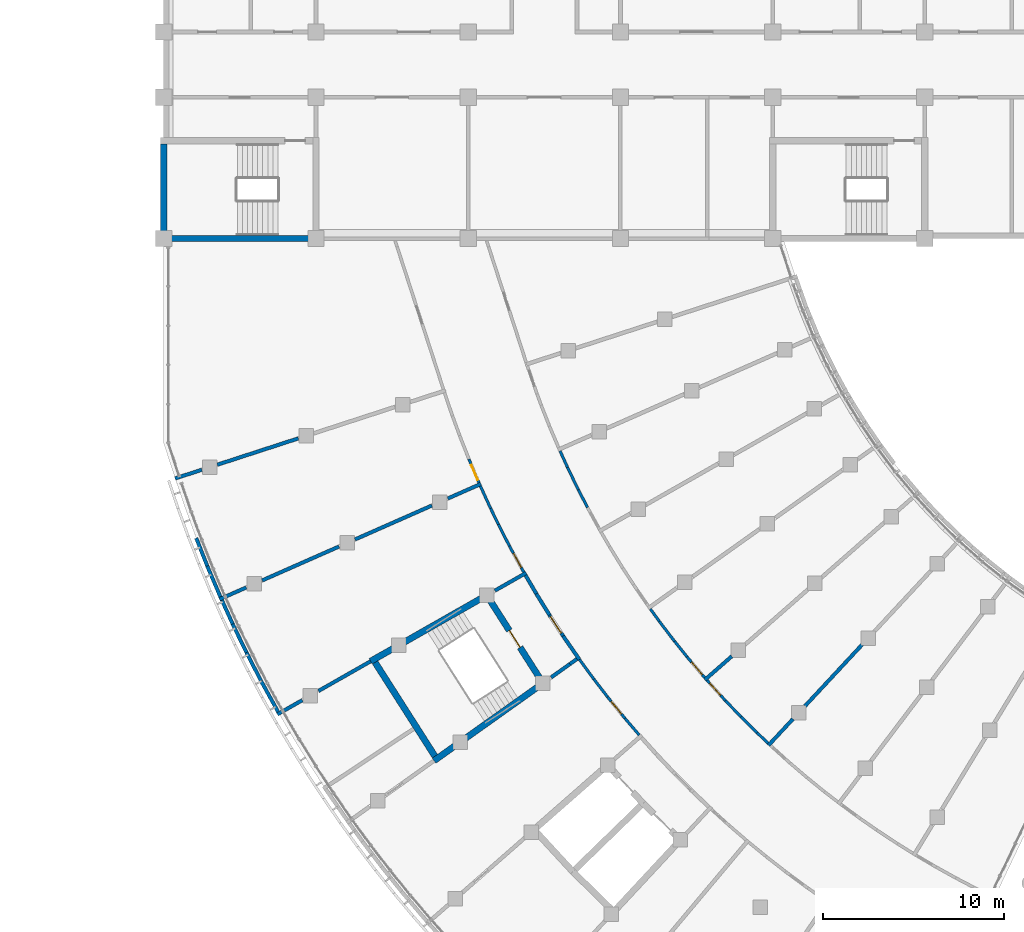
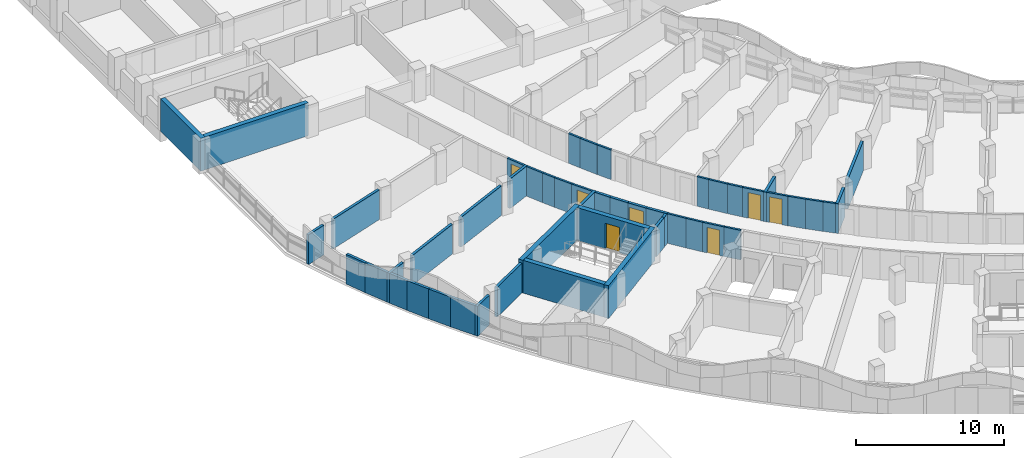
# One storey, part 42 of 89: 50 walls, 7 doors, 7 openings.
"""IFC4 building model written with IfcOpenShell, lengths in metres."""

import ifcopenshell
import ifcopenshell.guid

model = None  # the IFC model being written
_history = None  # IfcOwnerHistory: only IFC2X3 demands one
_inside = {}  # id of a spatial element -> (the spatial element, [elements in it])
_under = {}  # id of a project, library or spatial element -> (it, [spatial elements below it])
_declared = {}  # id of a project -> (the project, [libraries it declares])
_typed = {}  # id of a type object -> (the type object, [elements of that type])
_made_of = {}  # id of a material, layer set ... -> (it, [elements and type objects made of it])


def new_model(schema):
    """Start an empty IFC model of exactly this schema.

    Asked for "IFC4X3", IfcOpenShell would pick the latest addendum, in which some entities
    have other attributes; the version numbers below select the first issue.
    IFC2X3 requires an IfcOwnerHistory on every rooted entity: one is made here for all.
    """
    global model, _history
    if schema == "IFC4X3":
        model = ifcopenshell.file(schema_version=(4, 3, 0, 0))
    else:
        model = ifcopenshell.file(schema=schema)
    _inside.clear()
    _under.clear()
    _declared.clear()
    _typed.clear()
    _made_of.clear()
    _history = None
    if model.schema == "IFC2X3":
        org = make("IfcOrganization", Name="unknown")
        user = make(
            "IfcPersonAndOrganization",
            ThePerson=make("IfcPerson", FamilyName="unknown"),
            TheOrganization=org,
        )
        app = make(
            "IfcApplication",
            ApplicationDeveloper=org,
            Version="unknown",
            ApplicationFullName="unknown",
            ApplicationIdentifier="unknown",
        )
        _history = make(
            "IfcOwnerHistory",
            OwningUser=user,
            OwningApplication=app,
            ChangeAction="ADDED",
            CreationDate=0,
        )
    return model


def make(cls, **values):
    """One entity of the class cls with the attributes given. An attribute that is None is left unset."""
    return model.create_entity(
        cls, **{name: value for name, value in values.items() if value is not None}
    )


def rooted(cls, **values):
    """An entity with a GlobalId (a new one), such as an element, a storey or a relation."""
    return make(cls, GlobalId=ifcopenshell.guid.new(), OwnerHistory=_history, **values)


def si_unit(unit_type, name, prefix=None):
    """IfcSIUnit, for example si_unit("LENGTHUNIT", "METRE", prefix="MILLI")."""
    return make("IfcSIUnit", UnitType=unit_type, Prefix=prefix, Name=name)


def assignment(units):
    """IfcUnitAssignment: the units of a project."""
    return None if units is None else make("IfcUnitAssignment", Units=units)


def point(xyz):
    """IfcCartesianPoint."""
    return None if xyz is None else make("IfcCartesianPoint", Coordinates=xyz)


def direction(xyz):
    """IfcDirection."""
    return None if xyz is None else make("IfcDirection", DirectionRatios=xyz)


def frame(location, z_axis=None, x_axis=None):
    """IfcAxis2Placement3D, a coordinate frame: its origin and axes. An axis left out is left unset."""
    return make(
        "IfcAxis2Placement3D",
        Location=point(location),
        Axis=direction(z_axis),
        RefDirection=direction(x_axis),
    )


def frame_2d(location, x_axis=None):
    """IfcAxis2Placement2D, a coordinate frame in the plane: its origin and x axis."""
    return make(
        "IfcAxis2Placement2D", Location=point(location), RefDirection=direction(x_axis)
    )


def origin():
    """The frame at (0, 0, 0) with its axes left unset."""
    return frame((0.0, 0.0, 0.0))


def place(relative_to, where):
    """IfcLocalPlacement: puts the frame where relative to a parent placement (None: the world)."""
    return make(
        "IfcLocalPlacement", PlacementRelTo=relative_to, RelativePlacement=where
    )


def context(
    kind, dimensions, precision=None, world=None, true_north=None, identifier=None
):
    """IfcGeometricRepresentationContext, for example the 3D "Model" context."""
    return make(
        "IfcGeometricRepresentationContext",
        ContextIdentifier=identifier,
        ContextType=kind,
        CoordinateSpaceDimension=dimensions,
        Precision=precision,
        WorldCoordinateSystem=world,
        TrueNorth=true_north,
    )


def subcontext(parent, identifier, kind, view, scale=None):
    """IfcGeometricRepresentationSubContext, for example "Body" below "Model"."""
    return make(
        "IfcGeometricRepresentationSubContext",
        ContextIdentifier=identifier,
        ContextType=kind,
        ParentContext=parent,
        TargetScale=scale,
        TargetView=view,
    )


def project(units=None, contexts=None):
    """IfcProject with its units and contexts."""
    return rooted(
        "IfcProject",
        Name="project",
        RepresentationContexts=contexts,
        UnitsInContext=assignment(units),
    )


def spatial(cls, under=None, at=None, **own):
    """A site, building, storey or space (cls), placed at a placement, below another one or the project."""
    s = rooted(cls, ObjectPlacement=at, **own)
    if under is not None:
        _under.setdefault(under.id(), (under, []))[1].append(s)
    return s


def profile(cls, at=None, kind="AREA", **sizes):
    """A parametric profile (cls). Its sizes go by their IFC names, for example OverallWidth=200.0."""
    return make(cls, ProfileType=kind, Position=at, **sizes)


def rectangle(**sizes):
    """IfcRectangleProfileDef."""
    return profile("IfcRectangleProfileDef", **sizes)


def extrude(swept, where, along, depth):
    """IfcExtrudedAreaSolid: the profile swept, set in the frame where, extruded along a direction by depth."""
    return make(
        "IfcExtrudedAreaSolid",
        SweptArea=swept,
        Position=where,
        ExtrudedDirection=direction(along),
        Depth=depth,
    )


def shape(context_of_items, identifier, shape_type, items):
    """IfcShapeRepresentation: the items that make up one representation, for example the "Body"."""
    return make(
        "IfcShapeRepresentation",
        ContextOfItems=context_of_items,
        RepresentationIdentifier=identifier,
        RepresentationType=shape_type,
        Items=items,
    )


def material(Name=None, Category=None):
    """IfcMaterial."""
    return make("IfcMaterial", Name=Name, Category=Category)


def layer(
    of_material, thickness, ventilated=None, Name=None, Category=None, Priority=None
):
    """IfcMaterialLayer: one layer of a wall or slab, of a material (None: an air gap)."""
    return make(
        "IfcMaterialLayer",
        Material=of_material,
        LayerThickness=thickness,
        IsVentilated=ventilated,
        Name=Name,
        Category=Category,
        Priority=Priority,
    )


def layer_set(layers, Name=None):
    """IfcMaterialLayerSet."""
    return make("IfcMaterialLayerSet", MaterialLayers=layers, LayerSetName=Name)


def made_of(thing, what):
    """Note that an element or type object is made of a material, layer set ...; save() writes the relation."""
    if what is not None:
        _made_of.setdefault(what.id(), (what, []))[1].append(thing)
    return thing


def type_object(cls, material=None, **own):
    """A type object (cls), such as IfcWallType, which elements share."""
    return made_of(rooted(cls, **own), material)


def element(
    cls,
    number,
    at=None,
    inside=None,
    cuts=None,
    type_object=None,
    material=None,
    context=None,
    identifier="Body",
    shape_type=None,
    held_by="IfcProductDefinitionShape",
    body=None,
    shapes=None,
    **own,
):
    """One element of the class cls, such as IfcWall. Its Tag is "e" and its number.

    at: its placement. inside: the storey or other place that contains it. cuts: it is an
    opening in that element (IfcRelVoidsElement). A single representation is given by context,
    identifier, shape_type and body (its items); several are given by shapes. held_by: the class
    of the entity that holds the representations. save() writes the other relations.
    """
    e = rooted(cls, Tag="e%d" % number, ObjectPlacement=at, **own)
    if body is not None:
        shapes = [shape(context, identifier, shape_type, body)]
    if shapes is not None:
        e.Representation = make(held_by, Representations=shapes)
    if inside is not None:
        _inside.setdefault(inside.id(), (inside, []))[1].append(e)
    if cuts is not None:
        rooted(
            "IfcRelVoidsElement", RelatingBuildingElement=cuts, RelatedOpeningElement=e
        )
    if type_object is not None:
        _typed.setdefault(type_object.id(), (type_object, []))[1].append(e)
    return made_of(e, material)


def fill(opening, filler):
    """IfcRelFillsElement: the door or window that sits in an opening."""
    return rooted(
        "IfcRelFillsElement",
        RelatingOpeningElement=opening,
        RelatedBuildingElement=filler,
    )


def aggregate(whole, parts):
    """IfcRelAggregates: a whole, such as a stair, and the parts it consists of."""
    return rooted("IfcRelAggregates", RelatingObject=whole, RelatedObjects=parts)


def save(model, path):
    """Write the relations noted so far, then the file.

    IfcRelAggregates (storeys below a building ...), IfcRelContainedInSpatialStructure (elements
    in a storey), IfcRelDefinesByType, IfcRelAssociatesMaterial and IfcRelDeclares: one each for
    every whole, place, type object, material and project.
    """
    for whole, parts in _under.values():
        aggregate(whole, parts)
    for where, things in _inside.values():
        rooted(
            "IfcRelContainedInSpatialStructure",
            RelatedElements=things,
            RelatingStructure=where,
        )
    for kind, things in _typed.values():
        rooted("IfcRelDefinesByType", RelatedObjects=things, RelatingType=kind)
    for what, things in _made_of.values():
        rooted("IfcRelAssociatesMaterial", RelatedObjects=things, RelatingMaterial=what)
    for by, libraries in _declared.values():
        rooted("IfcRelDeclares", RelatingContext=by, RelatedDefinitions=libraries)
    model.write(path)


model = new_model("IFC4")

# Units and contexts
model_context = context("Model", 3, precision=1e-05, world=origin(), true_north=direction((0.0, 1.0)))
body_context = subcontext(model_context, "Body", "Model", "MODEL_VIEW")
ifc_project = project(units=[si_unit("LENGTHUNIT", "METRE"), si_unit("AREAUNIT", "SQUARE_METRE"), si_unit("VOLUMEUNIT", "CUBIC_METRE"), si_unit("PLANEANGLEUNIT", "RADIAN"), si_unit("MASSUNIT", "GRAM", prefix="KILO")], contexts=[model_context])

# Site, building, storey
site_placement = place(None, origin())
site = spatial("IfcSite", under=ifc_project, at=site_placement, CompositionType="ELEMENT")
building_placement = place(site_placement, origin())
building = spatial("IfcBuilding", under=site, at=building_placement, Name="Bougainvillea Quay General Hospital", CompositionType="ELEMENT")
storey_placement = place(building_placement, frame((0.0, 0.0, 9.89990234375)))
storey = spatial("IfcBuildingStorey", under=building, at=storey_placement, Name="L01M", CompositionType="ELEMENT", Elevation=9.89990234375)

# Wall, opening, door
ifc_material_1 = material(Name="Gypsum board partition on steel studs, insulated", Category="steel")
ifc_layer_1 = layer(ifc_material_1, 0.14990234375)
ifc_layer_set_1 = layer_set([ifc_layer_1], Name="Gypsum board partition on steel studs, insulated")
wall_type_1 = type_object("IfcWallType", Name="Partition 150 Gypsum board partition EI 60", PredefinedType="PARTITIONING", material=ifc_layer_set_1)
wall_1_placement = place(storey_placement, frame((61.07080078125, 100.640869140625, 0.0), z_axis=(0.0, 0.0, 1.0), x_axis=(0.481122709727, -0.876653259952, 0.0)))
wall_1 = element("IfcWall", 1, at=wall_1_placement, inside=storey, type_object=wall_type_1, Name="Partition 150 mm EI 60", PredefinedType="PARTITIONING", context=body_context, shape_type="SweptSolid", body=[
    extrude(rectangle(XDim=1.648681640625, YDim=0.14990234375, at=frame_2d((0.82421875, 0.0))), origin(), (0.0, 0.0, 1.0), 2.4501953125),
])
opening_1_placement = place(wall_1_placement, frame((0.462890625, 0.0, 0.0)))
opening_1 = element("IfcOpeningElement", 2, at=opening_1_placement, cuts=wall_1, Name="Opening L01M.176", PredefinedType="OPENING", context=body_context, shape_type="SweptSolid", body=[
    extrude(rectangle(XDim=0.89990234375, YDim=2.10009765625, at=frame_2d((0.449951171875, 1.050048828125))), frame((0.0, 0.0849609375, 0.0), z_axis=(0.0, -1.0, 0.0), x_axis=(1.0, 0.0, 0.0)), (0.0, 0.0, 1.0), 0.169921875),
])
ifc_material_2 = material(Name="Solid-core timber door leaf in steel frame", Category="steel")
door_type_1 = type_object("IfcDoorType", Name="Single leaf door 900x2100 FD30S", OperationType="NOTDEFINED", PredefinedType="DOOR", material=ifc_material_2)
door_1_placement = place(opening_1_placement, frame((0.89990234375, 0.0, 0.0), z_axis=(0.0, 0.0, 1.0), x_axis=(-1.0, 0.0, 0.0)))
door_1 = element("IfcDoor", 3, at=door_1_placement, inside=storey, type_object=door_type_1, Name="DT16 L01M.176", OperationType="SINGLE_SWING_LEFT", OverallHeight=2.10009765625, OverallWidth=0.89990234375, PredefinedType="DOOR", context=body_context, shape_type="SweptSolid", body=[
    extrude(rectangle(XDim=0.89990234375, YDim=2.10009765625, at=frame_2d((0.449951171875, 1.050048828125))), frame((0.0, 0.02490234375, 0.0), z_axis=(0.0, -1.0, 0.0), x_axis=(1.0, 0.0, 0.0)), (0.0, 0.0, 1.0), 0.050048828125),
])
fill(opening_1, door_1)

wall_2_placement = place(storey_placement, frame((70.868408203125, 94.525146484375, 0.0), z_axis=(0.0, 0.0, 1.0), x_axis=(0.648178462951, -0.761488463581, 0.0)))
wall_2 = element("IfcWall", 4, at=wall_2_placement, inside=storey, type_object=wall_type_1, Name="Partition 150 mm EI 60", PredefinedType="PARTITIONING", context=body_context, shape_type="SweptSolid", body=[
    extrude(rectangle(XDim=1.510498046875, YDim=0.14990234375, at=frame_2d((0.75537109375, 0.0))), origin(), (0.0, 0.0, 1.0), 2.4501953125),
])
opening_2_placement = place(wall_2_placement, frame((0.393310546875, 0.0, 0.0)))
opening_2 = element("IfcOpeningElement", 5, at=opening_2_placement, cuts=wall_2, Name="Opening L01M.182", PredefinedType="OPENING", context=body_context, shape_type="SweptSolid", body=[
    extrude(rectangle(XDim=0.89990234375, YDim=2.10009765625, at=frame_2d((0.449951171875, 1.050048828125))), frame((0.0, 0.0849609375, 0.0), z_axis=(0.0, -1.0, 0.0), x_axis=(1.0, 0.0, 0.0)), (0.0, 0.0, 1.0), 0.169921875),
])
door_2_placement = place(opening_2_placement, origin())
door_2 = element("IfcDoor", 6, at=door_2_placement, inside=storey, type_object=door_type_1, Name="DT16 L01M.182", OperationType="SINGLE_SWING_RIGHT", OverallHeight=2.10009765625, OverallWidth=0.89990234375, PredefinedType="DOOR", context=body_context, shape_type="SweptSolid", body=[
    extrude(rectangle(XDim=0.89990234375, YDim=2.10009765625, at=frame_2d((0.449951171875, 1.050048828125))), frame((0.0, 0.02490234375, 0.0), z_axis=(0.0, -1.0, 0.0), x_axis=(1.0, 0.0, 0.0)), (0.0, 0.0, 1.0), 0.050048828125),
])
fill(opening_2, door_2)

wall_3_placement = place(storey_placement, frame((71.980712890625, 93.222900390625, 0.0), z_axis=(0.0, 0.0, 1.0), x_axis=(0.670358116646, -0.742037731822, 0.0)))
wall_3 = element("IfcWall", 7, at=wall_3_placement, inside=storey, type_object=wall_type_1, Name="Partition 150 mm EI 60", PredefinedType="PARTITIONING", context=body_context, shape_type="SweptSolid", body=[
    extrude(rectangle(XDim=1.5087890625, YDim=0.14990234375, at=frame_2d((0.75439453125, 0.0))), origin(), (0.0, 0.0, 1.0), 2.4501953125),
])
opening_3_placement = place(wall_3_placement, frame((0.21630859375, 0.0, 0.0)))
opening_3 = element("IfcOpeningElement", 8, at=opening_3_placement, cuts=wall_3, Name="Opening L01M.181", PredefinedType="OPENING", context=body_context, shape_type="SweptSolid", body=[
    extrude(rectangle(XDim=0.89990234375, YDim=2.10009765625, at=frame_2d((0.449951171875, 1.050048828125))), frame((0.0, 0.0849609375, 0.0), z_axis=(0.0, -1.0, 0.0), x_axis=(1.0, 0.0, 0.0)), (0.0, 0.0, 1.0), 0.169921875),
])
door_3_placement = place(opening_3_placement, origin())
door_3 = element("IfcDoor", 9, at=door_3_placement, inside=storey, type_object=door_type_1, Name="DT16 L01M.181", OperationType="SINGLE_SWING_LEFT", OverallHeight=2.10009765625, OverallWidth=0.89990234375, PredefinedType="DOOR", context=body_context, shape_type="SweptSolid", body=[
    extrude(rectangle(XDim=0.89990234375, YDim=2.10009765625, at=frame_2d((0.449951171875, 1.050048828125))), frame((0.0, 0.02490234375, 0.0), z_axis=(0.0, -1.0, 0.0), x_axis=(1.0, 0.0, 0.0)), (0.0, 0.0, 1.0), 0.050048828125),
])
fill(opening_3, door_3)

wall_4_placement = place(storey_placement, frame((58.838623046875, 105.429931640625, 0.0), z_axis=(0.0, 0.0, 1.0), x_axis=(0.391005622304, -0.920388289434, 0.0)))
wall_4 = element("IfcWall", 10, at=wall_4_placement, inside=storey, type_object=wall_type_1, Name="Partition 150 mm EI 60", PredefinedType="PARTITIONING", context=body_context, shape_type="SweptSolid", body=[
    extrude(rectangle(XDim=1.416748046875, YDim=0.14990234375, at=frame_2d((0.70849609375, 0.0))), origin(), (0.0, 0.0, 1.0), 2.4501953125),
])
opening_4_placement = place(wall_4_placement, frame((0.346435546875, 0.0, 0.0)))
opening_4 = element("IfcOpeningElement", 11, at=opening_4_placement, cuts=wall_4, Name="Opening L01M.177", PredefinedType="OPENING", context=body_context, shape_type="SweptSolid", body=[
    extrude(rectangle(XDim=0.89990234375, YDim=2.10009765625, at=frame_2d((0.449951171875, 1.050048828125))), frame((0.0, 0.0849609375, 0.0), z_axis=(0.0, -1.0, 0.0), x_axis=(1.0, 0.0, 0.0)), (0.0, 0.0, 1.0), 0.169921875),
])
door_4_placement = place(opening_4_placement, frame((0.89990234375, 0.0, 0.0), z_axis=(0.0, 0.0, 1.0), x_axis=(-1.0, 0.0, 0.0)))
door_4 = element("IfcDoor", 12, at=door_4_placement, inside=storey, type_object=door_type_1, Name="DT16 L01M.177", OperationType="SINGLE_SWING_LEFT", OverallHeight=2.10009765625, OverallWidth=0.89990234375, PredefinedType="DOOR", context=body_context, shape_type="SweptSolid", body=[
    extrude(rectangle(XDim=0.89990234375, YDim=2.10009765625, at=frame_2d((0.449951171875, 1.050048828125))), frame((0.0, 0.02490234375, 0.0), z_axis=(0.0, -1.0, 0.0), x_axis=(1.0, 0.0, 0.0)), (0.0, 0.0, 1.0), 0.050048828125),
])
fill(opening_4, door_4)

wall_5_placement = place(storey_placement, frame((66.48779296875, 92.30810546875, 0.0), z_axis=(0.0, 0.0, 1.0), x_axis=(0.630574599656, -0.776128645438, 0.0)))
wall_5 = element("IfcWall", 13, at=wall_5_placement, inside=storey, type_object=wall_type_1, Name="Partition 150 mm EI 60", PredefinedType="PARTITIONING", context=body_context, shape_type="SweptSolid", body=[
    extrude(rectangle(XDim=1.52978515625, YDim=0.14990234375, at=frame_2d((0.764892578125, 0.0))), origin(), (0.0, 0.0, 1.0), 2.4501953125),
])
opening_5_placement = place(wall_5_placement, frame((0.31494140625, 0.0, 0.0)))
opening_5 = element("IfcOpeningElement", 14, at=opening_5_placement, cuts=wall_5, Name="Opening L01M.174", PredefinedType="OPENING", context=body_context, shape_type="SweptSolid", body=[
    extrude(rectangle(XDim=0.89990234375, YDim=2.10009765625, at=frame_2d((0.449951171875, 1.050048828125))), frame((0.0, 0.0849609375, 0.0), z_axis=(0.0, -1.0, 0.0), x_axis=(1.0, 0.0, 0.0)), (0.0, 0.0, 1.0), 0.169921875),
])
door_5_placement = place(opening_5_placement, frame((0.89990234375, 0.0, 0.0), z_axis=(0.0, 0.0, 1.0), x_axis=(-1.0, 0.0, 0.0)))
door_5 = element("IfcDoor", 15, at=door_5_placement, inside=storey, type_object=door_type_1, Name="DT16 L01M.174", OperationType="SINGLE_SWING_LEFT", OverallHeight=2.10009765625, OverallWidth=0.89990234375, PredefinedType="DOOR", context=body_context, shape_type="SweptSolid", body=[
    extrude(rectangle(XDim=0.89990234375, YDim=2.10009765625, at=frame_2d((0.449951171875, 1.050048828125))), frame((0.0, 0.02490234375, 0.0), z_axis=(0.0, -1.0, 0.0), x_axis=(1.0, 0.0, 0.0)), (0.0, 0.0, 1.0), 0.050048828125),
])
fill(opening_5, door_5)

# Walls
wall_6_placement = place(storey_placement, frame((64.939208984375, 94.373779296875, 0.0), z_axis=(0.0, 0.0, 1.0), x_axis=(0.589962289841, -0.807430799862, 0.0)))
element("IfcWall", 16, at=wall_6_placement, inside=storey, type_object=wall_type_1, Name="Partition 150 mm EI 60", PredefinedType="PARTITIONING", context=body_context, shape_type="SweptSolid", body=[
    extrude(rectangle(XDim=1.352783203125, YDim=0.14990234375, at=frame_2d((0.67626953125, 0.0))), origin(), (0.0, 0.0, 1.0), 2.4501953125),
])
wall_7_placement = place(storey_placement, frame((59.473876953125, 103.941162109375, 0.0), z_axis=(0.0, 0.0, 1.0), x_axis=(0.415337770693, -0.909667266772, 0.0)))
element("IfcWall", 17, at=wall_7_placement, inside=storey, type_object=wall_type_1, Name="Partition 150 mm EI 60", PredefinedType="PARTITIONING", context=body_context, shape_type="SweptSolid", body=[
    extrude(rectangle(XDim=1.353759765625, YDim=0.14990234375, at=frame_2d((0.6767578125, 0.0))), origin(), (0.0, 0.0, 1.0), 2.4501953125),
])
wall_8_placement = place(storey_placement, frame((67.452392578125, 91.123291015625, 0.0), z_axis=(0.0, 0.0, 1.0), x_axis=(0.649605469476, -0.760271487053, 0.0)))
element("IfcWall", 18, at=wall_8_placement, inside=storey, type_object=wall_type_1, Name="Partition 150 mm EI 60", PredefinedType="PARTITIONING", context=body_context, shape_type="SweptSolid", body=[
    extrude(rectangle(XDim=1.20458984375, YDim=0.14990234375, at=frame_2d((0.602294921875, 0.0))), origin(), (0.0, 0.0, 1.0), 2.4501953125),
])
wall_9_placement = place(storey_placement, frame((65.73779296875, 93.2841796875, 0.0), z_axis=(0.0, 0.0, 1.0), x_axis=(0.610437971513, -0.792064064919, 0.0)))
element("IfcWall", 19, at=wall_9_placement, inside=storey, type_object=wall_type_1, Name="Partition 150 mm EI 60", PredefinedType="PARTITIONING", context=body_context, shape_type="SweptSolid", body=[
    extrude(rectangle(XDim=1.232666015625, YDim=0.14990234375, at=frame_2d((0.6162109375, 0.0))), origin(), (0.0, 0.0, 1.0), 2.4501953125),
])
wall_10_placement = place(storey_placement, frame((60.461669921875, 101.831787109375, 0.0), z_axis=(0.0, 0.0, 1.0), x_axis=(0.456808582034, -0.889565016949, 0.0)))
element("IfcWall", 20, at=wall_10_placement, inside=storey, type_object=wall_type_1, Name="Partition 150 mm EI 60", PredefinedType="PARTITIONING", context=body_context, shape_type="SweptSolid", body=[
    extrude(rectangle(XDim=1.33984375, YDim=0.14990234375, at=frame_2d((0.669921875, 0.0))), origin(), (0.0, 0.0, 1.0), 2.4501953125),
])
wall_11_placement = place(storey_placement, frame((69.343505859375, 96.4794921875, 0.0), z_axis=(0.0, 0.0, 1.0), x_axis=(0.606556461902, -0.795040413139, 0.0)))
element("IfcWall", 21, at=wall_11_placement, inside=storey, type_object=wall_type_1, Name="Partition 150 mm EI 60", PredefinedType="PARTITIONING", context=body_context, shape_type="SweptSolid", body=[
    extrude(rectangle(XDim=1.389892578125, YDim=0.14990234375, at=frame_2d((0.69482421875, 0.0))), origin(), (0.0, 0.0, 1.0), 2.4501953125),
])
wall_12_placement = place(storey_placement, frame((72.992431640625, 92.106201171875, 0.0), z_axis=(0.0, 0.0, 1.0), x_axis=(0.691204791727, -0.722658934695, 0.0)))
element("IfcWall", 22, at=wall_12_placement, inside=storey, type_object=wall_type_1, Name="Partition 150 mm EI 60", PredefinedType="PARTITIONING", context=body_context, shape_type="SweptSolid", body=[
    extrude(rectangle(XDim=1.241943359375, YDim=0.14990234375, at=frame_2d((0.62109375, 0.0))), origin(), (0.0, 0.0, 1.0), 2.4501953125),
])
wall_13_placement = place(storey_placement, frame((73.850830078125, 91.21142578125, 0.0), z_axis=(0.0, 0.0, 1.0), x_axis=(0.709168733207, -0.70503879882, 0.0)))
element("IfcWall", 23, at=wall_13_placement, inside=storey, type_object=wall_type_1, Name="Partition 150 mm EI 60", PredefinedType="PARTITIONING", context=body_context, shape_type="SweptSolid", body=[
    extrude(rectangle(XDim=1.241455078125, YDim=0.14990234375, at=frame_2d((0.62060546875, 0.0))), origin(), (0.0, 0.0, 1.0), 2.4501953125),
])
wall_14_placement = place(storey_placement, frame((64.2744140625, 104.9814453125, 0.0), z_axis=(0.0, 0.0, 1.0), x_axis=(0.436355428291, -0.899774382943, 0.0)))
element("IfcWall", 24, at=wall_14_placement, inside=storey, type_object=wall_type_1, Name="Partition 150 mm EI 60", PredefinedType="PARTITIONING", context=body_context, shape_type="SweptSolid", body=[
    extrude(rectangle(XDim=1.38916015625, YDim=0.14990234375, at=frame_2d((0.694580078125, 0.0))), origin(), (0.0, 0.0, 1.0), 2.4501953125),
])
wall_15_placement = place(storey_placement, frame((70.186767578125, 95.376953125, 0.0), z_axis=(0.0, 0.0, 1.0), x_axis=(0.626328090187, -0.779559570169, 0.0)))
element("IfcWall", 25, at=wall_15_placement, inside=storey, type_object=wall_type_1, Name="Partition 150 mm EI 60", PredefinedType="PARTITIONING", context=body_context, shape_type="SweptSolid", body=[
    extrude(rectangle(XDim=1.093017578125, YDim=0.14990234375, at=frame_2d((0.54638671875, 0.0))), origin(), (0.0, 0.0, 1.0), 2.4501953125),
])
wall_16_placement = place(storey_placement, frame((64.881591796875, 103.73388671875, 0.0), z_axis=(0.0, 0.0, 1.0), x_axis=(0.458529077121, -0.888679405317, 0.0)))
element("IfcWall", 26, at=wall_16_placement, inside=storey, type_object=wall_type_1, Name="Partition 150 mm EI 60", PredefinedType="PARTITIONING", context=body_context, shape_type="SweptSolid", body=[
    extrude(rectangle(XDim=1.092529296875, YDim=0.14990234375, at=frame_2d((0.54638671875, 0.0))), origin(), (0.0, 0.0, 1.0), 2.4501953125),
])
wall_17_placement = place(storey_placement, frame((63.86767578125, 105.880126953125, 0.0), z_axis=(0.0, 0.0, 1.0), x_axis=(0.413896028548, -0.910324160699, 0.0)))
element("IfcWall", 27, at=wall_17_placement, inside=storey, type_object=wall_type_1, Name="Partition 150 mm EI 60", PredefinedType="PARTITIONING", context=body_context, shape_type="SweptSolid", body=[
    extrude(rectangle(XDim=0.988037109375, YDim=0.14990234375, at=frame_2d((0.494140625, 0.0))), origin(), (0.0, 0.0, 1.0), 2.4501953125),
])
wall_18_placement = place(storey_placement, frame((60.037109375, 102.7119140625, 0.0), z_axis=(0.0, 0.0, 1.0), x_axis=(0.43620619425, -0.899846740339, 0.0)))
element("IfcWall", 28, at=wall_18_placement, inside=storey, type_object=wall_type_1, Name="Partition 150 mm EI 60", PredefinedType="PARTITIONING", context=body_context, shape_type="SweptSolid", body=[
    extrude(rectangle(XDim=0.97900390625, YDim=0.14990234375, at=frame_2d((0.489501953125, 0.0))), origin(), (0.0, 0.0, 1.0), 2.4501953125),
])
wall_19_placement = place(storey_placement, frame((74.731201171875, 90.338623046875, 0.0), z_axis=(0.0, 0.0, 1.0), x_axis=(0.72611255532, -0.687575855457, 0.0)))
element("IfcWall", 29, at=wall_19_placement, inside=storey, type_object=wall_type_1, Name="Partition 150 mm EI 60", PredefinedType="PARTITIONING", context=body_context, shape_type="SweptSolid", body=[
    extrude(rectangle(XDim=0.842529296875, YDim=0.14990234375, at=frame_2d((0.42138671875, 0.0))), origin(), (0.0, 0.0, 1.0), 2.4501953125),
])
wall_20_placement = place(storey_placement, frame((68.85205078125, 97.160400390625, 0.0), z_axis=(0.0, 0.0, 1.0), x_axis=(0.587015119912, -0.809575968637, 0.0)))
element("IfcWall", 30, at=wall_20_placement, inside=storey, type_object=wall_type_1, Name="Partition 150 mm EI 60", PredefinedType="PARTITIONING", context=body_context, shape_type="SweptSolid", body=[
    extrude(rectangle(XDim=0.84130859375, YDim=0.14990234375, at=frame_2d((0.420654296875, 0.0))), origin(), (0.0, 0.0, 1.0), 2.4501953125),
])
ifc_material_3 = material(Name="Fire-rated autoclaved aerated block wall, plastered")
ifc_layer_2 = layer(ifc_material_3, 0.199951171875)
ifc_layer_set_2 = layer_set([ifc_layer_2], Name="Fire-rated autoclaved aerated block wall, plastered")
wall_type_2 = type_object("IfcWallType", Name="Partition 200 Fire-rated autoclaved aerated block wall EI 120", PredefinedType="SOLIDWALL", material=ifc_layer_set_2)
wall_21_placement = place(storey_placement, frame((60.2744140625, 98.1748046875, 0.0), z_axis=(0.0, 0.0, 1.0), x_axis=(0.869398915424, 0.494110843698, 0.0)))
element("IfcWall", 31, at=wall_21_placement, inside=storey, type_object=wall_type_2, Name="Partition 200 mm EI 120", PredefinedType="SOLIDWALL", context=body_context, shape_type="SweptSolid", body=[
    extrude(rectangle(XDim=1.98486328125, YDim=0.199951171875, at=frame_2d((0.992431640625, 0.0))), origin(), (0.0, 0.0, 1.0), 2.4501953125),
])
wall_22_placement = place(storey_placement, frame((64.035888671875, 95.672119140625, 0.0), z_axis=(0.0, 0.0, 1.0), x_axis=(0.569764314915, -0.821808143942, 0.0)))
element("IfcWall", 32, at=wall_22_placement, inside=storey, type_object=wall_type_2, Name="Partition 200 mm EI 120", PredefinedType="SOLIDWALL", context=body_context, shape_type="SweptSolid", body=[
    extrude(rectangle(XDim=1.579833984375, YDim=0.199951171875, at=frame_2d((0.7900390625, 0.0))), origin(), (0.0, 0.0, 1.0), 2.4501953125),
])

# Wall, opening, door
wall_23_placement = place(storey_placement, frame((63.2822265625, 96.82763671875, 0.0), z_axis=(0.0, 0.0, 1.0), x_axis=(0.54791545279, -0.836533715156, 0.0)))
wall_23 = element("IfcWall", 33, at=wall_23_placement, inside=storey, type_object=wall_type_2, Name="Partition 200 mm EI 120", PredefinedType="SOLIDWALL", context=body_context, shape_type="SweptSolid", body=[
    extrude(rectangle(XDim=1.382080078125, YDim=0.199951171875, at=frame_2d((0.69091796875, 0.0))), origin(), (0.0, 0.0, 1.0), 2.4501953125),
])
opening_6_placement = place(wall_23_placement, frame((0.10009765625, 0.0, 0.0)))
opening_6 = element("IfcOpeningElement", 34, at=opening_6_placement, cuts=wall_23, Name="Opening L01M.219", PredefinedType="OPENING", context=body_context, shape_type="SweptSolid", body=[
    extrude(rectangle(XDim=1.10009765625, YDim=2.10009765625, at=frame_2d((0.550048828125, 1.050048828125))), frame((0.0, 0.10986328125, 0.0), z_axis=(0.0, -1.0, 0.0), x_axis=(1.0, 0.0, 0.0)), (0.0, 0.0, 1.0), 0.219970703125),
])
ifc_material_4 = material(Name="Steel fire door leaf in steel frame", Category="steel")
door_type_2 = type_object("IfcDoorType", Name="Steel single leaf door 1100x2100 FD60", OperationType="NOTDEFINED", PredefinedType="DOOR", material=ifc_material_4)
door_6_placement = place(opening_6_placement, frame((1.10009765625, 0.0, 0.0), z_axis=(0.0, 0.0, 1.0), x_axis=(-1.0, 0.0, 0.0)))
door_6 = element("IfcDoor", 35, at=door_6_placement, inside=storey, type_object=door_type_2, Name="DT04 L01M.219", OperationType="SINGLE_SWING_RIGHT", OverallHeight=2.10009765625, OverallWidth=1.10009765625, PredefinedType="DOOR", context=body_context, shape_type="SweptSolid", body=[
    extrude(rectangle(XDim=1.10009765625, YDim=2.10009765625, at=frame_2d((0.550048828125, 1.050048828125))), frame((0.0, 0.02490234375, 0.0), z_axis=(0.0, -1.0, 0.0), x_axis=(1.0, 0.0, 0.0)), (0.0, 0.0, 1.0), 0.050048828125),
])
fill(opening_6, door_6)

# Walls
wall_24_placement = place(storey_placement, frame((62.557373046875, 98.0009765625, 0.0), z_axis=(0.0, 0.0, 1.0), x_axis=(0.526993282669, -0.849869448811, 0.0)))
element("IfcWall", 36, at=wall_24_placement, inside=storey, type_object=wall_type_2, Name="Partition 200 mm EI 120", PredefinedType="SOLIDWALL", context=body_context, shape_type="SweptSolid", body=[
    extrude(rectangle(XDim=1.381591796875, YDim=0.199951171875, at=frame_2d((0.69091796875, 0.0))), origin(), (0.0, 0.0, 1.0), 2.4501953125),
])
wall_25_placement = place(storey_placement, frame((61.964111328125, 99.0185546875, 0.0), z_axis=(0.0, 0.0, 1.0), x_axis=(0.505554921375, -0.862794425963, 0.0)))
element("IfcWall", 37, at=wall_25_placement, inside=storey, type_object=wall_type_2, Name="Partition 200 mm EI 120", PredefinedType="SOLIDWALL", context=body_context, shape_type="SweptSolid", body=[
    extrude(rectangle(XDim=1.18017578125, YDim=0.199951171875, at=frame_2d((0.590087890625, 0.0))), origin(), (0.0, 0.0, 1.0), 2.4501953125),
])
wall_26_placement = place(storey_placement, frame((64.41162109375, 94.123046875, 0.0), z_axis=(0.0, 0.0, 1.0), x_axis=(0.814396335107, 0.580309063658, 0.0)))
element("IfcWall", 38, at=wall_26_placement, inside=storey, type_object=wall_type_2, Name="Partition 200 mm EI 120", PredefinedType="SOLIDWALL", context=body_context, shape_type="SweptSolid", body=[
    extrude(rectangle(XDim=0.472412109375, YDim=0.199951171875, at=frame_2d((0.236328125, 0.0))), origin(), (0.0, 0.0, 1.0), 2.4501953125),
])
ifc_layer_3 = layer(ifc_material_3, 0.199951171875)
ifc_layer_set_3 = layer_set([ifc_layer_3], Name="Fire-rated autoclaved aerated block wall, plastered")
wall_type_3 = type_object("IfcWallType", Name="Partition 200 Fire-rated autoclaved aerated block wall EI 60", PredefinedType="SOLIDWALL", material=ifc_layer_set_3)
wall_27_placement = place(storey_placement, frame((42.6279296875, 104.364013671875, 0.0), z_axis=(0.0, 0.0, 1.0), x_axis=(0.950945922833, 0.309357159037, 0.0)))
element("IfcWall", 39, at=wall_27_placement, inside=storey, type_object=wall_type_3, Name="Partition 200 mm EI 60", PredefinedType="SOLIDWALL", context=body_context, shape_type="SweptSolid", body=[
    extrude(rectangle(XDim=1.547607421875, YDim=0.199951171875, at=frame_2d((0.77392578125, 0.0))), origin(), (0.0, 0.0, 1.0), 2.4501953125),
])
wall_28_placement = place(storey_placement, frame((44.960205078125, 105.12255859375, 0.0), z_axis=(0.0, 0.0, 1.0), x_axis=(0.950961816038, 0.309308299983, 0.0)))
element("IfcWall", 40, at=wall_28_placement, inside=storey, type_object=wall_type_3, Name="Partition 200 mm EI 60", PredefinedType="SOLIDWALL", context=body_context, shape_type="SweptSolid", body=[
    extrude(rectangle(XDim=4.69482421875, YDim=0.199951171875, at=frame_2d((2.347412109375, 0.0))), origin(), (0.0, 0.0, 1.0), 2.4501953125),
])
wall_29_placement = place(storey_placement, frame((45.071533203125, 97.694580078125, 0.0), z_axis=(0.0, 0.0, 1.0), x_axis=(0.91481770334, 0.403867019767, 0.0)))
element("IfcWall", 41, at=wall_29_placement, inside=storey, type_object=wall_type_3, Name="Partition 200 mm EI 60", PredefinedType="SOLIDWALL", context=body_context, shape_type="SweptSolid", body=[
    extrude(rectangle(XDim=1.616455078125, YDim=0.199951171875, at=frame_2d((0.80810546875, 0.0))), origin(), (0.0, 0.0, 1.0), 2.4501953125),
])
wall_30_placement = place(storey_placement, frame((47.4296875, 98.7353515625, 0.0), z_axis=(0.0, 0.0, 1.0), x_axis=(0.914845773111, 0.403803431661, 0.0)))
element("IfcWall", 42, at=wall_30_placement, inside=storey, type_object=wall_type_3, Name="Partition 200 mm EI 60", PredefinedType="SOLIDWALL", context=body_context, shape_type="SweptSolid", body=[
    extrude(rectangle(XDim=4.6396484375, YDim=0.199951171875, at=frame_2d((2.31982421875, 0.0))), origin(), (0.0, 0.0, 1.0), 2.4501953125),
])
wall_31_placement = place(storey_placement, frame((52.5537109375, 100.9970703125, 0.0), z_axis=(0.0, 0.0, 1.0), x_axis=(0.91485033135, 0.403793104483, 0.0)))
element("IfcWall", 43, at=wall_31_placement, inside=storey, type_object=wall_type_3, Name="Partition 200 mm EI 60", PredefinedType="SOLIDWALL", context=body_context, shape_type="SweptSolid", body=[
    extrude(rectangle(XDim=4.638671875, YDim=0.199951171875, at=frame_2d((2.3193359375, 0.0))), origin(), (0.0, 0.0, 1.0), 2.4501953125),
])
wall_32_placement = place(storey_placement, frame((57.676513671875, 103.25830078125, 0.0), z_axis=(0.0, 0.0, 1.0), x_axis=(0.914873903289, 0.403739694705, 0.0)))
element("IfcWall", 44, at=wall_32_placement, inside=storey, type_object=wall_type_3, Name="Partition 200 mm EI 60", PredefinedType="SOLIDWALL", context=body_context, shape_type="SweptSolid", body=[
    extrude(rectangle(XDim=1.99365234375, YDim=0.199951171875, at=frame_2d((0.996826171875, 0.0))), origin(), (0.0, 0.0, 1.0), 2.4501953125),
])
wall_33_placement = place(storey_placement, frame((75.364990234375, 89.635009765625, 0.0), z_axis=(0.0, 0.0, 1.0), x_axis=(0.681114654608, 0.732176773245, 0.0)))
element("IfcWall", 45, at=wall_33_placement, inside=storey, type_object=wall_type_3, Name="Partition 200 mm EI 60", PredefinedType="SOLIDWALL", context=body_context, shape_type="SweptSolid", body=[
    extrude(rectangle(XDim=1.989013671875, YDim=0.199951171875, at=frame_2d((0.99462890625, 0.0))), origin(), (0.0, 0.0, 1.0), 2.4501953125),
])
wall_34_placement = place(storey_placement, frame((77.376220703125, 91.796875, 0.0), z_axis=(0.0, 0.0, 1.0), x_axis=(0.681189934363, 0.73210673629, 0.0)))
element("IfcWall", 46, at=wall_34_placement, inside=storey, type_object=wall_type_3, Name="Partition 200 mm EI 60", PredefinedType="SOLIDWALL", context=body_context, shape_type="SweptSolid", body=[
    extrude(rectangle(XDim=4.63671875, YDim=0.199951171875, at=frame_2d((2.318359375, 0.0))), origin(), (0.0, 0.0, 1.0), 2.4501953125),
])
wall_35_placement = place(storey_placement, frame((71.856689453125, 93.24853515625, 0.0), z_axis=(0.0, 0.0, 1.0), x_axis=(0.751795639598, 0.659396175513, 0.0)))
element("IfcWall", 47, at=wall_35_placement, inside=storey, type_object=wall_type_3, Name="Partition 200 mm EI 60", PredefinedType="SOLIDWALL", context=body_context, shape_type="SweptSolid", body=[
    extrude(rectangle(XDim=1.976318359375, YDim=0.199951171875, at=frame_2d((0.98828125, 0.0))), origin(), (0.0, 0.0, 1.0), 2.4501953125),
])
wall_36_placement = place(storey_placement, frame((64.41162109375, 94.123046875, 0.0), z_axis=(0.0, 0.0, 1.0), x_axis=(-0.814782127128, -0.579767268232, 0.0)))
element("IfcWall", 48, at=wall_36_placement, inside=storey, type_object=wall_type_3, Name="Partition 200 mm EI 60", PredefinedType="SOLIDWALL", context=body_context, shape_type="SweptSolid", body=[
    extrude(rectangle(XDim=1.2724609375, YDim=0.199951171875, at=frame_2d((0.63623046875, 0.0))), origin(), (0.0, 0.0, 1.0), 2.4501953125),
])
wall_37_placement = place(storey_placement, frame((48.26904296875, 91.3466796875, 0.0), z_axis=(0.0, 0.0, 1.0), x_axis=(0.869296628019, 0.49429077729, 0.0)))
element("IfcWall", 49, at=wall_37_placement, inside=storey, type_object=wall_type_3, Name="Partition 200 mm EI 60", PredefinedType="SOLIDWALL", context=body_context, shape_type="SweptSolid", body=[
    extrude(rectangle(XDim=1.580078125, YDim=0.199951171875, at=frame_2d((0.7900390625, 0.0))), origin(), (0.0, 0.0, 1.0), 2.4501953125),
])
wall_38_placement = place(storey_placement, frame((50.53955078125, 92.637939453125, 0.0), z_axis=(0.0, 0.0, 1.0), x_axis=(0.869213032917, 0.494437764948, 0.0)))
element("IfcWall", 50, at=wall_38_placement, inside=storey, type_object=wall_type_3, Name="Partition 200 mm EI 60", PredefinedType="SOLIDWALL", context=body_context, shape_type="SweptSolid", body=[
    extrude(rectangle(XDim=3.309326171875, YDim=0.199951171875, at=frame_2d((1.65478515625, 0.0))), origin(), (0.0, 0.0, 1.0), 2.4501953125),
])
wall_39_placement = place(storey_placement, frame((47.359619140625, 93.20166015625, 0.0), z_axis=(0.0, 0.0, 1.0), x_axis=(0.48314645219, -0.875539551212, 0.0)))
element("IfcWall", 51, at=wall_39_placement, inside=storey, type_object=wall_type_3, Name="Partition 200 mm EI 60", PredefinedType="SOLIDWALL", context=body_context, shape_type="SweptSolid", body=[
    extrude(rectangle(XDim=1.961181640625, YDim=0.199951171875, at=frame_2d((0.98046875, 0.0))), origin(), (0.0, 0.0, 1.0), 2.4501953125),
])
wall_40_placement = place(storey_placement, frame((44.395751953125, 99.534912109375, 0.0), z_axis=(0.0, 0.0, 1.0), x_axis=(0.392123997438, -0.919912371171, 0.0)))
element("IfcWall", 52, at=wall_40_placement, inside=storey, type_object=wall_type_3, Name="Partition 200 mm EI 60", PredefinedType="SOLIDWALL", context=body_context, shape_type="SweptSolid", body=[
    extrude(rectangle(XDim=1.85546875, YDim=0.199951171875, at=frame_2d((0.927734375, 0.0))), origin(), (0.0, 0.0, 1.0), 2.4501953125),
])
wall_41_placement = place(storey_placement, frame((43.791015625, 101.069091796875, 0.0), z_axis=(0.0, 0.0, 1.0), x_axis=(0.368253467554, -0.929725434542, 0.0)))
element("IfcWall", 53, at=wall_41_placement, inside=storey, type_object=wall_type_3, Name="Partition 200 mm EI 60", PredefinedType="SOLIDWALL", context=body_context, shape_type="SweptSolid", body=[
    extrude(rectangle(XDim=1.6513671875, YDim=0.199951171875, at=frame_2d((0.82568359375, 0.0))), origin(), (0.0, 0.0, 1.0), 2.4501953125),
])
wall_42_placement = place(storey_placement, frame((46.56005859375, 94.7568359375, 0.0), z_axis=(0.0, 0.0, 1.0), x_axis=(0.458607412215, -0.888638982636, 0.0)))
element("IfcWall", 54, at=wall_42_placement, inside=storey, type_object=wall_type_3, Name="Partition 200 mm EI 60", PredefinedType="SOLIDWALL", context=body_context, shape_type="SweptSolid", body=[
    extrude(rectangle(XDim=1.75146484375, YDim=0.199951171875, at=frame_2d((0.875732421875, 0.0))), origin(), (0.0, 0.0, 1.0), 2.4501953125),
])
wall_43_placement = place(storey_placement, frame((45.79833984375, 96.3310546875, 0.0), z_axis=(0.0, 0.0, 1.0), x_axis=(0.436810490251, -0.899553553496, 0.0)))
element("IfcWall", 55, at=wall_43_placement, inside=storey, type_object=wall_type_3, Name="Partition 200 mm EI 60", PredefinedType="SOLIDWALL", context=body_context, shape_type="SweptSolid", body=[
    extrude(rectangle(XDim=1.7509765625, YDim=0.199951171875, at=frame_2d((0.87548828125, 0.0))), origin(), (0.0, 0.0, 1.0), 2.4501953125),
])
wall_44_placement = place(storey_placement, frame((45.204833984375, 97.64306640625, 0.0), z_axis=(0.0, 0.0, 1.0), x_axis=(0.413662665241, -0.910430227632, 0.0)))
element("IfcWall", 56, at=wall_44_placement, inside=storey, type_object=wall_type_3, Name="Partition 200 mm EI 60", PredefinedType="SOLIDWALL", context=body_context, shape_type="SweptSolid", body=[
    extrude(rectangle(XDim=1.4423828125, YDim=0.199951171875, at=frame_2d((0.72119140625, 0.0))), origin(), (0.0, 0.0, 1.0), 2.4501953125),
])
ifc_material_5 = material(Name="Concrete C40", Category="concrete")
ifc_layer_4 = layer(ifc_material_5, 0.35009765625)
ifc_layer_set_4 = layer_set([ifc_layer_4], Name="Concrete C40")
wall_type_4 = type_object("IfcWallType", Name="RC SHEAR WALL 350 C40", PredefinedType="SHEAR", material=ifc_layer_set_4)
wall_45_placement = place(storey_placement, frame((42.0, 117.425048828125, 0.0), z_axis=(0.0, 0.0, 1.0), x_axis=(0.0, 1.0, 0.0)))
element("IfcWall", 57, at=wall_45_placement, inside=storey, type_object=wall_type_4, Name="Shear wall L01M", PredefinedType="SHEAR", context=body_context, shape_type="SweptSolid", body=[
    extrude(rectangle(XDim=5.39990234375, YDim=0.35009765625, at=frame_2d((2.699951171875, 0.0))), origin(), (0.0, 0.0, 1.0), 2.7001953125),
])
wall_46_placement = place(storey_placement, frame((42.175048828125, 117.60009765625, 0.0), z_axis=(0.0, 0.0, 1.0), x_axis=(1.0, 0.0, 0.0)))
element("IfcWall", 58, at=wall_46_placement, inside=storey, type_object=wall_type_4, Name="Shear wall L01M", PredefinedType="SHEAR", context=body_context, shape_type="SweptSolid", body=[
    extrude(rectangle(XDim=8.050048828125, YDim=0.35009765625, at=frame_2d((4.02490234375, 0.0))), origin(), (0.0, 0.0, 1.0), 2.7001953125),
])
wall_47_placement = place(storey_placement, frame((53.415771484375, 94.2744140625, 0.0), z_axis=(0.0, 0.0, 1.0), x_axis=(0.869250335475, 0.494372181941, 0.0)))
element("IfcWall", 59, at=wall_47_placement, inside=storey, type_object=wall_type_4, Name="Shear wall L01M", PredefinedType="SHEAR", context=body_context, shape_type="SweptSolid", body=[
    extrude(rectangle(XDim=7.54931640625, YDim=0.35009765625, at=frame_2d((3.774658203125, 0.0))), origin(), (0.0, 0.0, 1.0), 2.7001953125),
])
wall_48_placement = place(storey_placement, frame((56.91552734375, 88.78857421875, 0.0), z_axis=(0.0, 0.0, 1.0), x_axis=(0.814717690591, 0.579857814157, 0.0)))
element("IfcWall", 60, at=wall_48_placement, inside=storey, type_object=wall_type_4, Name="Shear wall L01M", PredefinedType="SHEAR", context=body_context, shape_type="SweptSolid", body=[
    extrude(rectangle(XDim=7.550048828125, YDim=0.35009765625, at=frame_2d((3.77490234375, 0.0))), origin(), (0.0, 0.0, 1.0), 2.7001953125),
])
wall_49_placement = place(storey_placement, frame((56.9638671875, 89.03759765625, 0.0), z_axis=(0.0, 0.0, 1.0), x_axis=(-0.537811796172, 0.843064927451, 0.0)))
element("IfcWall", 61, at=wall_49_placement, inside=storey, type_object=wall_type_4, Name="Shear wall L01M", PredefinedType="SHEAR", context=body_context, shape_type="SweptSolid", body=[
    extrude(rectangle(XDim=6.13916015625, YDim=0.35009765625, at=frame_2d((3.069580078125, 0.0))), origin(), (0.0, 0.0, 1.0), 2.7001953125),
])

# Wall, opening, door
wall_50_placement = place(storey_placement, frame((62.829833984375, 93.21240234375, 0.0), z_axis=(0.0, 0.0, 1.0), x_axis=(-0.537903079352, 0.843006688718, 0.0)))
wall_50 = element("IfcWall", 62, at=wall_50_placement, inside=storey, type_object=wall_type_4, Name="Shear wall L01M", PredefinedType="SHEAR", context=body_context, shape_type="SweptSolid", body=[
    extrude(rectangle(XDim=5.4091796875, YDim=0.35009765625, at=frame_2d((2.70458984375, 0.0))), origin(), (0.0, 0.0, 1.0), 2.7001953125),
])
opening_7_placement = place(wall_50_placement, frame((2.173828125, 0.0, 0.0)))
opening_7 = element("IfcOpeningElement", 63, at=opening_7_placement, cuts=wall_50, Name="Opening L01M.218", PredefinedType="OPENING", context=body_context, shape_type="SweptSolid", body=[
    extrude(rectangle(XDim=1.10009765625, YDim=2.10009765625, at=frame_2d((0.550048828125, 1.050048828125))), frame((0.0, 0.18505859375, 0.0), z_axis=(0.0, -1.0, 0.0), x_axis=(1.0, 0.0, 0.0)), (0.0, 0.0, 1.0), 0.3701171875),
])
door_7_placement = place(opening_7_placement, origin())
door_7 = element("IfcDoor", 64, at=door_7_placement, inside=storey, type_object=door_type_2, Name="DT04 L01M.218", OperationType="SINGLE_SWING_RIGHT", OverallHeight=2.10009765625, OverallWidth=1.10009765625, PredefinedType="DOOR", context=body_context, shape_type="SweptSolid", body=[
    extrude(rectangle(XDim=1.10009765625, YDim=2.10009765625, at=frame_2d((0.550048828125, 1.050048828125))), frame((0.0, 0.02490234375, 0.0), z_axis=(0.0, -1.0, 0.0), x_axis=(1.0, 0.0, 0.0)), (0.0, 0.0, 1.0), 0.050048828125),
])
fill(opening_7, door_7)

save(model, "model.ifc")
